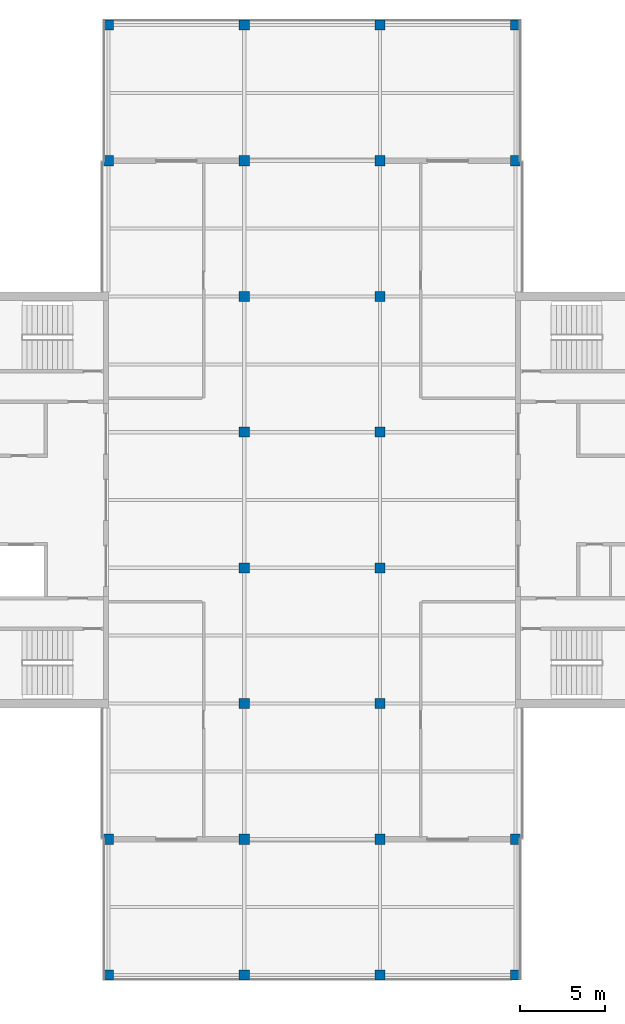
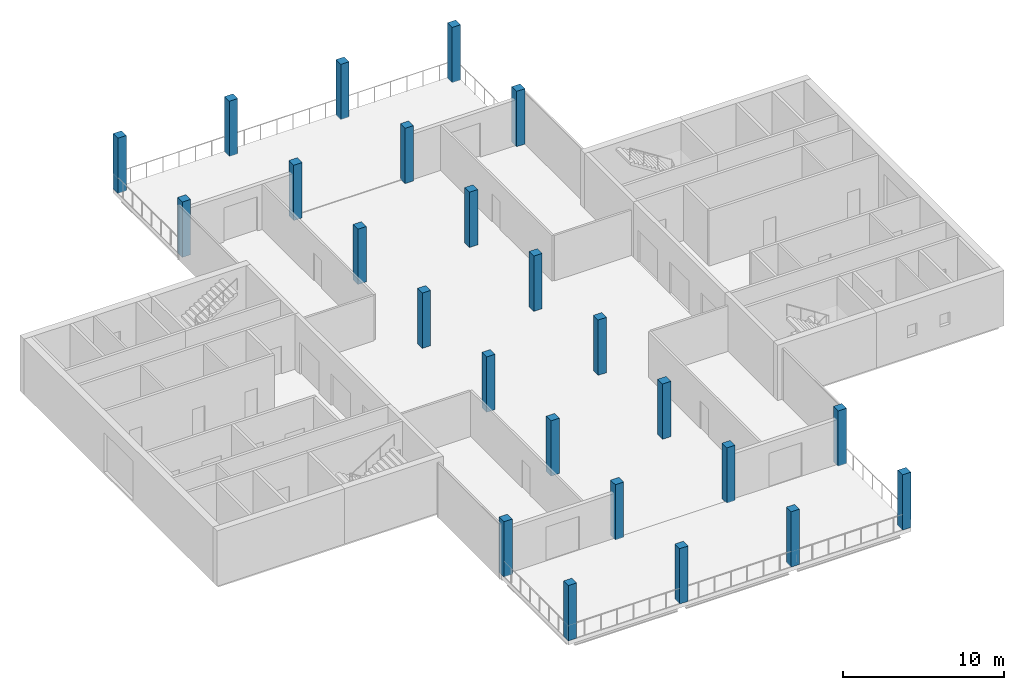
# One storey, part 1 of 12: 24 columns.
"""IFC4 building model written with IfcOpenShell, lengths in metres."""

from ifc_helpers import new_model, si_unit, direction, frame, origin, origin_2d, place, context, subcontext, project, spatial, rectangle, extrude, material, material_profile, profile_set, type_object, element, save


model = new_model("IFC4")

# Units and contexts
model_context = context("Model", 3, precision=1e-05, world=origin(), true_north=direction((0.0, 1.0)))
body_context = subcontext(model_context, "Body", "Model", "MODEL_VIEW")
ifc_project = project(units=[si_unit("LENGTHUNIT", "METRE"), si_unit("AREAUNIT", "SQUARE_METRE"), si_unit("VOLUMEUNIT", "CUBIC_METRE"), si_unit("PLANEANGLEUNIT", "RADIAN"), si_unit("MASSUNIT", "GRAM", prefix="KILO")], contexts=[model_context])

# Site, building, storey
site_placement = place(None, origin())
site = spatial("IfcSite", under=ifc_project, at=site_placement, CompositionType="ELEMENT")
building_placement = place(site_placement, origin())
building = spatial("IfcBuilding", under=site, at=building_placement, Name="Crosswind Convention Tower", CompositionType="ELEMENT")
storey_placement = place(building_placement, frame((0.0, 0.0, 332.300048828125)))
storey = spatial("IfcBuildingStorey", under=building, at=storey_placement, Name="L72", CompositionType="ELEMENT", Elevation=332.300048828125)

# Columns
ifc_material = material(Name="Concrete C60/75", Category="concrete")
ifc_material_profile = material_profile(ifc_material, rectangle(XDim=0.60009765625, YDim=0.60009765625, at=origin_2d()), Name="RC 600X600")
ifc_profile_set = profile_set([ifc_material_profile], Name="Concrete C60/75")
column_type = type_object("IfcColumnType", Name="Column RC 600X600", PredefinedType="COLUMN", material=ifc_profile_set)
for number, where, z_axis, x_axis, name in (
    (1, (113.0, 72.0, 0.0), (0.0, 0.0, 1.0), (1.0, 0.0, 0.0), "C16 L72 5/C"),
    (2, (113.0, 80.0, 0.0), (0.0, 0.0, 1.0), (1.0, 0.0, 0.0), "C16 L72 5/D"),
    (3, (113.0, 120.0, 0.0), (0.0, 0.0, 1.0), (1.0, 0.0, 0.0), "C16 L72 5/I"),
    (4, (113.0, 128.0, 0.0), (0.0, 0.0, 1.0), (1.0, 0.0, 0.0), "C16 L72 5/J"),
    (5, (121.0, 72.0, 0.0), (0.0, 0.0, 1.0), (1.0, 0.0, 0.0), "C16 L72 6/C"),
    (6, (121.0, 80.0, 0.0), (0.0, 0.0, 1.0), (1.0, 0.0, 0.0), "C16 L72 6/D"),
    (7, (121.0, 88.0, 0.0), (0.0, 0.0, 1.0), (1.0, 0.0, 0.0), "C16 L72 6/E"),
    (8, (121.0, 96.0, 0.0), (0.0, 0.0, 1.0), (1.0, 0.0, 0.0), "C16 L72 6/F"),
    (9, (121.0, 104.0, 0.0), (0.0, 0.0, 1.0), (1.0, 0.0, 0.0), "C16 L72 6/G"),
    (10, (121.0, 112.0, 0.0), (0.0, 0.0, 1.0), (1.0, 0.0, 0.0), "C16 L72 6/H"),
    (11, (121.0, 120.0, 0.0), (0.0, 0.0, 1.0), (1.0, 0.0, 0.0), "C16 L72 6/I"),
    (12, (121.0, 128.0, 0.0), (0.0, 0.0, 1.0), (1.0, 0.0, 0.0), "C16 L72 6/J"),
    (13, (129.0, 72.0, 0.0), (0.0, 0.0, 1.0), (1.0, 0.0, 0.0), "C16 L72 7/C"),
    (14, (129.0, 80.0, 0.0), (0.0, 0.0, 1.0), (1.0, 0.0, 0.0), "C16 L72 7/D"),
    (15, (129.0, 88.0, 0.0), (0.0, 0.0, 1.0), (1.0, 0.0, 0.0), "C16 L72 7/E"),
    (16, (129.0, 96.0, 0.0), (0.0, 0.0, 1.0), (1.0, 0.0, 0.0), "C16 L72 7/F"),
    (17, (129.0, 104.0, 0.0), (0.0, 0.0, 1.0), (1.0, 0.0, 0.0), "C16 L72 7/G"),
    (18, (129.0, 112.0, 0.0), (0.0, 0.0, 1.0), (1.0, 0.0, 0.0), "C16 L72 7/H"),
    (19, (129.0, 120.0, 0.0), (0.0, 0.0, 1.0), (1.0, 0.0, 0.0), "C16 L72 7/I"),
    (20, (129.0, 128.0, 0.0), (0.0, 0.0, 1.0), (1.0, 0.0, 0.0), "C16 L72 7/J"),
    (21, (137.0, 72.0, 0.0), (0.0, 0.0, 1.0), (1.0, 0.0, 0.0), "C16 L72 8/C"),
    (22, (137.0, 80.0, 0.0), (0.0, 0.0, 1.0), (1.0, 0.0, 0.0), "C16 L72 8/D"),
    (23, (137.0, 120.0, 0.0), (0.0, 0.0, 1.0), (1.0, 0.0, 0.0), "C16 L72 8/I"),
    (24, (137.0, 128.0, 0.0), (0.0, 0.0, 1.0), (1.0, 0.0, 0.0), "C16 L72 8/J"),
):
    element("IfcColumn", number, at=place(storey_placement, frame(where, z_axis=z_axis, x_axis=x_axis)), inside=storey, type_object=column_type, Name=name, PredefinedType="COLUMN", context=body_context, shape_type="SweptSolid", body=[
        extrude(rectangle(XDim=0.60009765625, YDim=0.60009765625, at=origin_2d()), origin(), (0.0, 0.0, 1.0), 4.199951171875),
    ])

save(model, "model.ifc")
